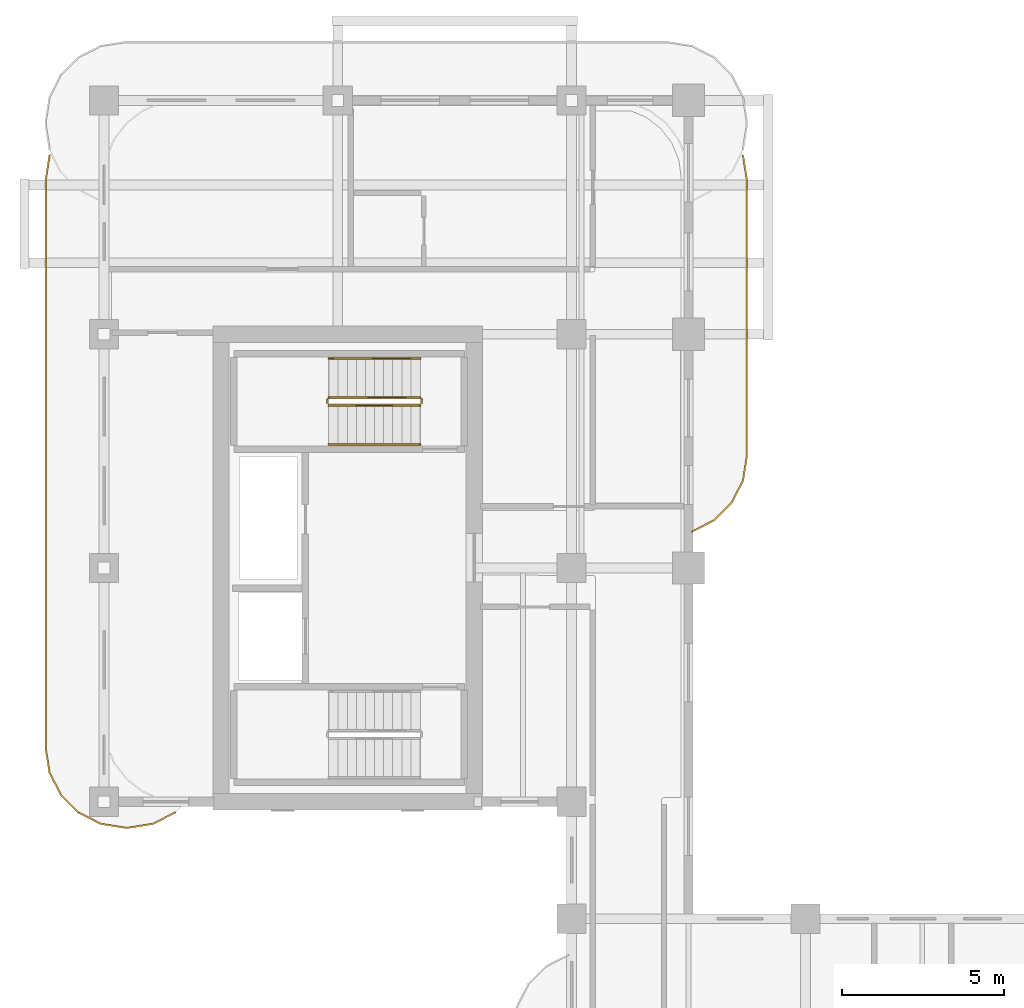
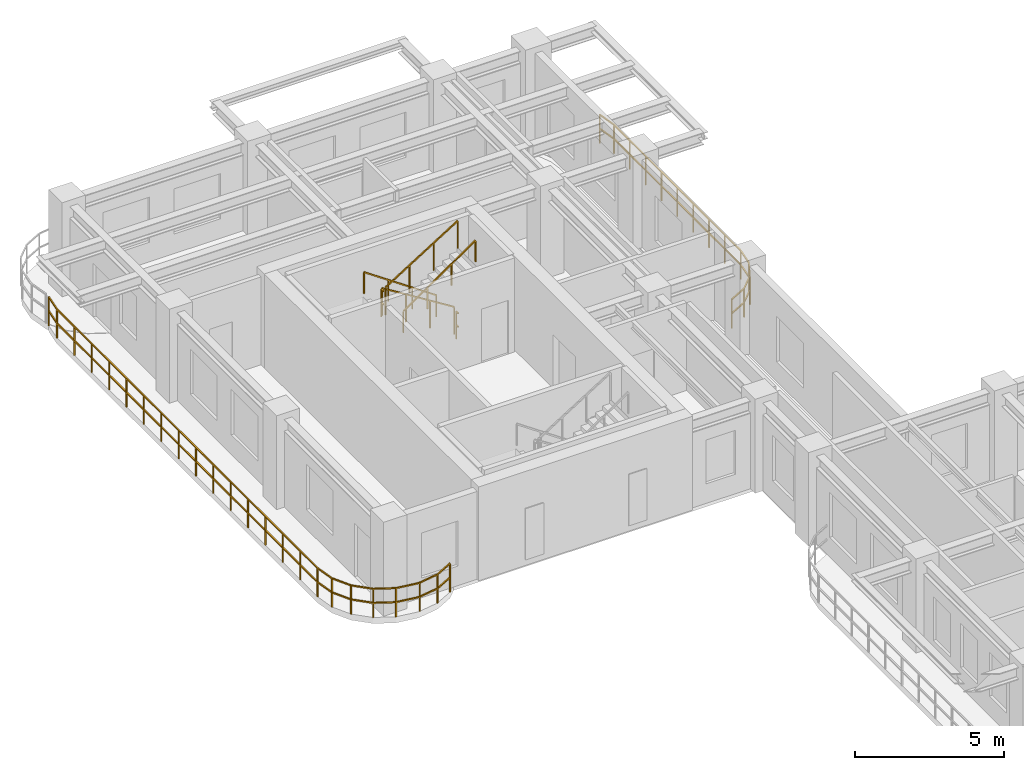
# One storey, part 13 of 14: 8 railings.
"""IFC4 building model written with IfcOpenShell, lengths in metres."""

from ifc_helpers import new_model, si_unit, derived_unit, direction, frame, origin, origin_2d, place, context, subcontext, project, spatial, rectangle, extrude, material, type_object, element, save


model = new_model("IFC4")

# Units and contexts
model_context = context("Model", 3, precision=1e-05, world=origin(), true_north=direction((0.0, 1.0)))
body_context = subcontext(model_context, "Body", "Model", "MODEL_VIEW")
ifc_project = project(units=[si_unit("LENGTHUNIT", "METRE"), si_unit("AREAUNIT", "SQUARE_METRE"), si_unit("VOLUMEUNIT", "CUBIC_METRE"), si_unit("PLANEANGLEUNIT", "RADIAN"), si_unit("MASSUNIT", "GRAM", prefix="KILO"), si_unit("THERMODYNAMICTEMPERATUREUNIT", "KELVIN"), si_unit("POWERUNIT", "WATT"), derived_unit("THERMALTRANSMITTANCEUNIT", [(si_unit("POWERUNIT", "WATT"), 1), (si_unit("AREAUNIT", "SQUARE_METRE"), -1), (si_unit("THERMODYNAMICTEMPERATUREUNIT", "KELVIN"), -1)])], contexts=[model_context])

# Site, building, storey
site_placement = place(None, origin())
site = spatial("IfcSite", under=ifc_project, at=site_placement, CompositionType="ELEMENT")
building_placement = place(site_placement, origin())
building = spatial("IfcBuilding", under=site, at=building_placement, Name="Zahravan Archway Hotel and Residences", CompositionType="ELEMENT")
storey_placement = place(building_placement, frame((0.0, 0.0, 205.75)))
storey = spatial("IfcBuildingStorey", under=building, at=storey_placement, Name="L51", CompositionType="ELEMENT", Elevation=205.75)

# Railings
ifc_material_1 = material(Name="Bronze & Laminated Glass Balustrade", Category="glass")
railing_type_1 = type_object("IfcRailingType", Name="RL-BAL-1200", PredefinedType="BALUSTRADE", material=ifc_material_1)
railing_1_placement = place(storey_placement, frame((2.190185546875, 24.867919921875, 0.0)))
element("IfcRailing", 1, at=railing_1_placement, inside=storey, type_object=railing_type_1, Name="L51 Balustrade RL-SLB-BAL-L51-WB-1", PredefinedType="BALUSTRADE", context=body_context, shape_type="SweptSolid", body=[
    extrude(rectangle(XDim=0.048095703125, YDim=0.048095703125, at=origin_2d()), frame((0.0, 0.0, 1.17578125), z_axis=(-0.891090529897, -0.453825591531, 0.0), x_axis=(0.453825591531, -0.891090529897, 0.0)), (0.0, 0.0, 1.0), 0.7666015625),
    extrude(rectangle(XDim=0.048095703125, YDim=0.048095703125, at=origin_2d()), frame((0.0, 0.0, 0.60009765625), z_axis=(-0.891090529897, -0.453825591531, 0.0), x_axis=(0.453825591531, -0.891090529897, 0.0)), (0.0, 0.0, 1.0), 0.7666015625),
    extrude(rectangle(XDim=0.048095703125, YDim=0.048095703125, at=origin_2d()), frame((-0.68310546875, -0.347900390625, 1.17578125), z_axis=(-0.987646484274, -0.156698507018, 0.0), x_axis=(0.156698507018, -0.987646484274, 0.0)), (0.0, 0.0, 1.0), 0.7666015625),
    extrude(rectangle(XDim=0.048095703125, YDim=0.048095703125, at=origin_2d()), frame((-0.68310546875, -0.347900390625, 0.60009765625), z_axis=(-0.987646484274, -0.156698507018, 0.0), x_axis=(0.156698507018, -0.987646484274, 0.0)), (0.0, 0.0, 1.0), 0.7666015625),
    extrude(rectangle(XDim=0.048095703125, YDim=0.048095703125, at=origin_2d()), frame((-1.440185546875, -0.468017578125, 1.17578125), z_axis=(-1.0, 0.0, 0.0), x_axis=(0.0, -1.0, 0.0)), (0.0, 0.0, 1.0), 0.10009765625),
    extrude(rectangle(XDim=0.048095703125, YDim=0.048095703125, at=origin_2d()), frame((-1.440185546875, -0.468017578125, 0.60009765625), z_axis=(-1.0, 0.0, 0.0), x_axis=(0.0, -1.0, 0.0)), (0.0, 0.0, 1.0), 0.10009765625),
    extrude(rectangle(XDim=0.048095703125, YDim=0.048095703125, at=origin_2d()), frame((-1.540283203125, -0.468017578125, 1.17578125), z_axis=(-0.987646484274, 0.156698507018, 0.0), x_axis=(-0.156698507018, -0.987646484274, 0.0)), (0.0, 0.0, 1.0), 0.7666015625),
    extrude(rectangle(XDim=0.048095703125, YDim=0.048095703125, at=origin_2d()), frame((-1.540283203125, -0.468017578125, 0.60009765625), z_axis=(-0.987646484274, 0.156698507018, 0.0), x_axis=(-0.156698507018, -0.987646484274, 0.0)), (0.0, 0.0, 1.0), 0.7666015625),
    extrude(rectangle(XDim=0.048095703125, YDim=0.048095703125, at=origin_2d()), frame((-2.29736328125, -0.347900390625, 1.17578125), z_axis=(-0.891024909783, 0.453954414172, 0.0), x_axis=(-0.453954414172, -0.891024909783, 0.0)), (0.0, 0.0, 1.0), 0.766357421875),
    extrude(rectangle(XDim=0.048095703125, YDim=0.048095703125, at=origin_2d()), frame((-2.29736328125, -0.347900390625, 0.60009765625), z_axis=(-0.891024909783, 0.453954414172, 0.0), x_axis=(-0.453954414172, -0.891024909783, 0.0)), (0.0, 0.0, 1.0), 0.766357421875),
    extrude(rectangle(XDim=0.048095703125, YDim=0.048095703125, at=origin_2d()), frame((-2.980224609375, 0.0, 1.17578125), z_axis=(-0.707106781187, 0.707106781187, 0.0), x_axis=(-0.707106781187, -0.707106781187, 0.0)), (0.0, 0.0, 1.0), 0.7666015625),
    extrude(rectangle(XDim=0.048095703125, YDim=0.048095703125, at=origin_2d()), frame((-2.980224609375, 0.0, 0.60009765625), z_axis=(-0.707106781187, 0.707106781187, 0.0), x_axis=(-0.707106781187, -0.707106781187, 0.0)), (0.0, 0.0, 1.0), 0.7666015625),
    extrude(rectangle(XDim=0.048095703125, YDim=0.048095703125, at=origin_2d()), frame((-3.522216796875, 0.5419921875, 1.17578125), z_axis=(-0.454078418624, 0.890961721815, 0.0), x_axis=(-0.890961721815, -0.454078418624, 0.0)), (0.0, 0.0, 1.0), 0.7666015625),
    extrude(rectangle(XDim=0.048095703125, YDim=0.048095703125, at=origin_2d()), frame((-3.522216796875, 0.5419921875, 0.60009765625), z_axis=(-0.454078418624, 0.890961721815, 0.0), x_axis=(-0.890961721815, -0.454078418624, 0.0)), (0.0, 0.0, 1.0), 0.7666015625),
    extrude(rectangle(XDim=0.048095703125, YDim=0.048095703125, at=origin_2d()), frame((-3.870361328125, 1.22509765625, 1.17578125), z_axis=(-0.156387811283, 0.987695728695, 0.0), x_axis=(-0.987695728695, -0.156387811283, 0.0)), (0.0, 0.0, 1.0), 0.7666015625),
    extrude(rectangle(XDim=0.048095703125, YDim=0.048095703125, at=origin_2d()), frame((-3.870361328125, 1.22509765625, 0.60009765625), z_axis=(-0.156387811283, 0.987695728695, 0.0), x_axis=(-0.987695728695, -0.156387811283, 0.0)), (0.0, 0.0, 1.0), 0.7666015625),
    extrude(rectangle(XDim=0.048095703125, YDim=0.048095703125, at=origin_2d()), frame((-3.990234375, 1.982177734375, 1.17578125), z_axis=(0.0, 1.0, 0.0), x_axis=(-1.0, 0.0, 0.0)), (0.0, 0.0, 1.0), 17.5),
    extrude(rectangle(XDim=0.048095703125, YDim=0.048095703125, at=origin_2d()), frame((-3.990234375, 1.982177734375, 0.60009765625), z_axis=(0.0, 1.0, 0.0), x_axis=(-1.0, 0.0, 0.0)), (0.0, 0.0, 1.0), 17.5),
    extrude(rectangle(XDim=0.048095703125, YDim=0.048095703125, at=origin_2d()), frame((-3.990234375, 19.482177734375, 1.17578125), z_axis=(0.156387811283, 0.987695728695, 0.0), x_axis=(-0.987695728695, 0.156387811283, 0.0)), (0.0, 0.0, 1.0), 0.7666015625),
    extrude(rectangle(XDim=0.048095703125, YDim=0.048095703125, at=origin_2d()), frame((-3.990234375, 19.482177734375, 0.60009765625), z_axis=(0.156387811283, 0.987695728695, 0.0), x_axis=(-0.987695728695, 0.156387811283, 0.0)), (0.0, 0.0, 1.0), 0.7666015625),
    extrude(rectangle(XDim=0.0419921875, YDim=0.0419921875, at=origin_2d()), origin(), (0.0, 0.0, 1.0), 1.15185546875),
    extrude(rectangle(XDim=0.0419921875, YDim=0.0419921875, at=origin_2d()), frame((-0.68310546875, -0.347900390625, 0.0)), (0.0, 0.0, 1.0), 1.15185546875),
    extrude(rectangle(XDim=0.0419921875, YDim=0.0419921875, at=origin_2d()), frame((-1.440185546875, -0.468017578125, 0.0)), (0.0, 0.0, 1.0), 1.15185546875),
    extrude(rectangle(XDim=0.0419921875, YDim=0.0419921875, at=origin_2d()), frame((-2.29736328125, -0.347900390625, 0.0)), (0.0, 0.0, 1.0), 1.15185546875),
    extrude(rectangle(XDim=0.0419921875, YDim=0.0419921875, at=origin_2d()), frame((-2.980224609375, 0.0, 0.0)), (0.0, 0.0, 1.0), 1.15185546875),
    extrude(rectangle(XDim=0.0419921875, YDim=0.0419921875, at=origin_2d()), frame((-3.522216796875, 0.5419921875, 0.0)), (0.0, 0.0, 1.0), 1.15185546875),
    extrude(rectangle(XDim=0.0419921875, YDim=0.0419921875, at=origin_2d()), frame((-3.870361328125, 1.22509765625, 0.0)), (0.0, 0.0, 1.0), 1.15185546875),
    extrude(rectangle(XDim=0.0419921875, YDim=0.0419921875, at=origin_2d()), frame((-3.990234375, 1.982177734375, 0.0)), (0.0, 0.0, 1.0), 1.15185546875),
    extrude(rectangle(XDim=0.0419921875, YDim=0.0419921875, at=origin_2d()), frame((-3.990234375, 3.14892578125, 0.0)), (0.0, 0.0, 1.0), 1.15185546875),
    extrude(rectangle(XDim=0.0419921875, YDim=0.0419921875, at=origin_2d()), frame((-3.990234375, 4.3154296875, 0.0)), (0.0, 0.0, 1.0), 1.15185546875),
    extrude(rectangle(XDim=0.0419921875, YDim=0.0419921875, at=origin_2d()), frame((-3.990234375, 5.482177734375, 0.0)), (0.0, 0.0, 1.0), 1.15185546875),
    extrude(rectangle(XDim=0.0419921875, YDim=0.0419921875, at=origin_2d()), frame((-3.990234375, 6.64892578125, 0.0)), (0.0, 0.0, 1.0), 1.15185546875),
    extrude(rectangle(XDim=0.0419921875, YDim=0.0419921875, at=origin_2d()), frame((-3.990234375, 7.8154296875, 0.0)), (0.0, 0.0, 1.0), 1.15185546875),
    extrude(rectangle(XDim=0.0419921875, YDim=0.0419921875, at=origin_2d()), frame((-3.990234375, 8.982177734375, 0.0)), (0.0, 0.0, 1.0), 1.15185546875),
    extrude(rectangle(XDim=0.0419921875, YDim=0.0419921875, at=origin_2d()), frame((-3.990234375, 10.14892578125, 0.0)), (0.0, 0.0, 1.0), 1.15185546875),
    extrude(rectangle(XDim=0.0419921875, YDim=0.0419921875, at=origin_2d()), frame((-3.990234375, 11.3154296875, 0.0)), (0.0, 0.0, 1.0), 1.15185546875),
    extrude(rectangle(XDim=0.0419921875, YDim=0.0419921875, at=origin_2d()), frame((-3.990234375, 12.482177734375, 0.0)), (0.0, 0.0, 1.0), 1.15185546875),
    extrude(rectangle(XDim=0.0419921875, YDim=0.0419921875, at=origin_2d()), frame((-3.990234375, 13.64892578125, 0.0)), (0.0, 0.0, 1.0), 1.15185546875),
    extrude(rectangle(XDim=0.0419921875, YDim=0.0419921875, at=origin_2d()), frame((-3.990234375, 14.8154296875, 0.0)), (0.0, 0.0, 1.0), 1.15185546875),
    extrude(rectangle(XDim=0.0419921875, YDim=0.0419921875, at=origin_2d()), frame((-3.990234375, 15.982177734375, 0.0)), (0.0, 0.0, 1.0), 1.15185546875),
    extrude(rectangle(XDim=0.0419921875, YDim=0.0419921875, at=origin_2d()), frame((-3.990234375, 17.14892578125, 0.0)), (0.0, 0.0, 1.0), 1.15185546875),
    extrude(rectangle(XDim=0.0419921875, YDim=0.0419921875, at=origin_2d()), frame((-3.990234375, 18.3154296875, 0.0)), (0.0, 0.0, 1.0), 1.15185546875),
    extrude(rectangle(XDim=0.0419921875, YDim=0.0419921875, at=origin_2d()), frame((-3.990234375, 19.482177734375, 0.0)), (0.0, 0.0, 1.0), 1.15185546875),
    extrude(rectangle(XDim=0.0419921875, YDim=0.0419921875, at=origin_2d()), frame((-3.870361328125, 20.2392578125, 0.0)), (0.0, 0.0, 1.0), 1.15185546875),
])
railing_2_placement = place(storey_placement, frame((19.68017578125, 45.107177734375, 0.0)))
element("IfcRailing", 2, at=railing_2_placement, inside=storey, type_object=railing_type_1, Name="L51 Balustrade RL-SLB-BAL-L51-EB-1", PredefinedType="BALUSTRADE", context=body_context, shape_type="SweptSolid", body=[
    extrude(rectangle(XDim=0.048095703125, YDim=0.048095703125, at=origin_2d()), frame((0.0, 0.0, 1.17578125), z_axis=(0.156387811283, -0.987695728695, 0.0), x_axis=(0.987695728695, 0.156387811283, 0.0)), (0.0, 0.0, 1.0), 0.7666015625),
    extrude(rectangle(XDim=0.048095703125, YDim=0.048095703125, at=origin_2d()), frame((0.0, 0.0, 0.60009765625), z_axis=(0.156387811283, -0.987695728695, 0.0), x_axis=(0.987695728695, 0.156387811283, 0.0)), (0.0, 0.0, 1.0), 0.7666015625),
    extrude(rectangle(XDim=0.048095703125, YDim=0.048095703125, at=origin_2d()), frame((0.119873046875, -0.757080078125, 1.17578125), z_axis=(0.0, -1.0, 0.0), x_axis=(1.0, 0.0, 0.0)), (0.0, 0.0, 1.0), 8.5),
    extrude(rectangle(XDim=0.048095703125, YDim=0.048095703125, at=origin_2d()), frame((0.119873046875, -0.757080078125, 0.60009765625), z_axis=(0.0, -1.0, 0.0), x_axis=(1.0, 0.0, 0.0)), (0.0, 0.0, 1.0), 8.5),
    extrude(rectangle(XDim=0.048095703125, YDim=0.048095703125, at=origin_2d()), frame((0.119873046875, -9.257080078125, 1.17578125), z_axis=(-0.156387811283, -0.987695728695, 0.0), x_axis=(0.987695728695, -0.156387811283, 0.0)), (0.0, 0.0, 1.0), 0.7666015625),
    extrude(rectangle(XDim=0.048095703125, YDim=0.048095703125, at=origin_2d()), frame((0.119873046875, -9.257080078125, 0.60009765625), z_axis=(-0.156387811283, -0.987695728695, 0.0), x_axis=(0.987695728695, -0.156387811283, 0.0)), (0.0, 0.0, 1.0), 0.7666015625),
    extrude(rectangle(XDim=0.048095703125, YDim=0.048095703125, at=origin_2d()), frame((0.0, -10.01416015625, 1.17578125), z_axis=(-0.454078418624, -0.890961721815, 0.0), x_axis=(0.890961721815, -0.454078418624, 0.0)), (0.0, 0.0, 1.0), 0.7666015625),
    extrude(rectangle(XDim=0.048095703125, YDim=0.048095703125, at=origin_2d()), frame((0.0, -10.01416015625, 0.60009765625), z_axis=(-0.454078418624, -0.890961721815, 0.0), x_axis=(0.890961721815, -0.454078418624, 0.0)), (0.0, 0.0, 1.0), 0.7666015625),
    extrude(rectangle(XDim=0.048095703125, YDim=0.048095703125, at=origin_2d()), frame((-0.34814453125, -10.697265625, 1.17578125), z_axis=(-0.707106781187, -0.707106781187, 0.0), x_axis=(0.707106781187, -0.707106781187, 0.0)), (0.0, 0.0, 1.0), 0.7666015625),
    extrude(rectangle(XDim=0.048095703125, YDim=0.048095703125, at=origin_2d()), frame((-0.34814453125, -10.697265625, 0.60009765625), z_axis=(-0.707106781187, -0.707106781187, 0.0), x_axis=(0.707106781187, -0.707106781187, 0.0)), (0.0, 0.0, 1.0), 0.7666015625),
    extrude(rectangle(XDim=0.048095703125, YDim=0.048095703125, at=origin_2d()), frame((-0.89013671875, -11.2392578125, 1.17578125), z_axis=(-0.891024909783, -0.453954414172, 0.0), x_axis=(0.453954414172, -0.891024909783, 0.0)), (0.0, 0.0, 1.0), 0.766357421875),
    extrude(rectangle(XDim=0.048095703125, YDim=0.048095703125, at=origin_2d()), frame((-0.89013671875, -11.2392578125, 0.60009765625), z_axis=(-0.891024909783, -0.453954414172, 0.0), x_axis=(0.453954414172, -0.891024909783, 0.0)), (0.0, 0.0, 1.0), 0.766357421875),
    extrude(rectangle(XDim=0.0419921875, YDim=0.0419921875, at=origin_2d()), origin(), (0.0, 0.0, 1.0), 1.15185546875),
    extrude(rectangle(XDim=0.0419921875, YDim=0.0419921875, at=origin_2d()), frame((0.119873046875, -0.757080078125, 0.0)), (0.0, 0.0, 1.0), 1.15185546875),
    extrude(rectangle(XDim=0.0419921875, YDim=0.0419921875, at=origin_2d()), frame((0.119873046875, -1.819580078125, 0.0)), (0.0, 0.0, 1.0), 1.15185546875),
    extrude(rectangle(XDim=0.0419921875, YDim=0.0419921875, at=origin_2d()), frame((0.119873046875, -2.882080078125, 0.0)), (0.0, 0.0, 1.0), 1.15185546875),
    extrude(rectangle(XDim=0.0419921875, YDim=0.0419921875, at=origin_2d()), frame((0.119873046875, -3.944580078125, 0.0)), (0.0, 0.0, 1.0), 1.15185546875),
    extrude(rectangle(XDim=0.0419921875, YDim=0.0419921875, at=origin_2d()), frame((0.119873046875, -5.007080078125, 0.0)), (0.0, 0.0, 1.0), 1.15185546875),
    extrude(rectangle(XDim=0.0419921875, YDim=0.0419921875, at=origin_2d()), frame((0.119873046875, -6.069580078125, 0.0)), (0.0, 0.0, 1.0), 1.15185546875),
    extrude(rectangle(XDim=0.0419921875, YDim=0.0419921875, at=origin_2d()), frame((0.119873046875, -7.132080078125, 0.0)), (0.0, 0.0, 1.0), 1.15185546875),
    extrude(rectangle(XDim=0.0419921875, YDim=0.0419921875, at=origin_2d()), frame((0.119873046875, -8.194580078125, 0.0)), (0.0, 0.0, 1.0), 1.15185546875),
    extrude(rectangle(XDim=0.0419921875, YDim=0.0419921875, at=origin_2d()), frame((0.119873046875, -9.257080078125, 0.0)), (0.0, 0.0, 1.0), 1.15185546875),
    extrude(rectangle(XDim=0.0419921875, YDim=0.0419921875, at=origin_2d()), frame((0.0, -10.01416015625, 0.0)), (0.0, 0.0, 1.0), 1.15185546875),
    extrude(rectangle(XDim=0.0419921875, YDim=0.0419921875, at=origin_2d()), frame((-0.34814453125, -10.697265625, 0.0)), (0.0, 0.0, 1.0), 1.15185546875),
    extrude(rectangle(XDim=0.0419921875, YDim=0.0419921875, at=origin_2d()), frame((-0.89013671875, -11.2392578125, 0.0)), (0.0, 0.0, 1.0), 1.15185546875),
    extrude(rectangle(XDim=0.0419921875, YDim=0.0419921875, at=origin_2d()), frame((-1.572998046875, -11.587158203125, 0.0)), (0.0, 0.0, 1.0), 1.15185546875),
])
ifc_material_2 = material(Name="Painted Tubular Steel", Category="steel")
railing_type_2 = type_object("IfcRailingType", Name="RL-STG-1150", PredefinedType="GUARDRAIL", material=ifc_material_2)
railing_3_placement = place(storey_placement, frame((9.72998046875, 37.64990234375, 0.175048828125)))
element("IfcRailing", 3, at=railing_3_placement, inside=storey, type_object=railing_type_2, Name="L51 ST-B2 stair guard 1", PredefinedType="GUARDRAIL", context=body_context, shape_type="SweptSolid", body=[
    extrude(rectangle(XDim=0.048095703125, YDim=0.048095703125, at=origin_2d()), frame((0.0, 0.0, 1.1259765625), z_axis=(-0.848002457836, 0.0, 0.529992293815), x_axis=(0.0, -1.0, 0.0)), (0.0, 0.0, 1.0), 3.302001953125),
    extrude(rectangle(XDim=0.0419921875, YDim=0.0419921875, at=origin_2d()), origin(), (0.0, 0.0, 1.0), 1.101806640625),
    extrude(rectangle(XDim=0.0419921875, YDim=0.0419921875, at=origin_2d()), frame((-0.933349609375, 0.0, 0.583251953125)), (0.0, 0.0, 1.0), 1.101806640625),
    extrude(rectangle(XDim=0.0419921875, YDim=0.0419921875, at=origin_2d()), frame((-1.86669921875, 0.0, 1.166748046875)), (0.0, 0.0, 1.0), 1.101806640625),
    extrude(rectangle(XDim=0.0419921875, YDim=0.0419921875, at=origin_2d()), frame((-2.800048828125, 0.0, 1.75)), (0.0, 0.0, 1.0), 1.101806640625),
])
railing_4_placement = place(storey_placement, frame((6.8798828125, 37.60009765625, 1.925048828125)))
element("IfcRailing", 4, at=railing_4_placement, inside=storey, type_object=railing_type_2, Name="L51 ST-B2 stair guard 2", PredefinedType="GUARDRAIL", context=body_context, shape_type="SweptSolid", body=[
    extrude(rectangle(XDim=0.048095703125, YDim=0.048095703125, at=origin_2d()), frame((0.0, 0.0, 1.1259765625), z_axis=(0.0, -1.0, 0.0), x_axis=(1.0, 0.0, 0.0)), (0.0, 0.0, 1.0), 0.14013671875),
    extrude(rectangle(XDim=0.048095703125, YDim=0.048095703125, at=origin_2d()), frame((0.0, 0.0, 0.574951171875), z_axis=(0.0, -1.0, 0.0), x_axis=(1.0, 0.0, 0.0)), (0.0, 0.0, 1.0), 0.14013671875),
    extrude(rectangle(XDim=0.0419921875, YDim=0.0419921875, at=origin_2d()), origin(), (0.0, 0.0, 1.0), 1.101806640625),
])
railing_5_placement = place(storey_placement, frame((6.929931640625, 37.409912109375, 2.10009765625)))
element("IfcRailing", 5, at=railing_5_placement, inside=storey, type_object=railing_type_2, Name="L51 ST-B2 stair guard 3", PredefinedType="GUARDRAIL", context=body_context, shape_type="SweptSolid", body=[
    extrude(rectangle(XDim=0.048095703125, YDim=0.048095703125, at=origin_2d()), frame((0.0, 0.0, 1.1259765625), z_axis=(0.848002457836, 0.0, 0.529992293815), x_axis=(0.0, 1.0, 0.0)), (0.0, 0.0, 1.0), 3.302001953125),
    extrude(rectangle(XDim=0.0419921875, YDim=0.0419921875, at=origin_2d()), origin(), (0.0, 0.0, 1.0), 1.101806640625),
    extrude(rectangle(XDim=0.0419921875, YDim=0.0419921875, at=origin_2d()), frame((0.933349609375, 0.0, 0.583251953125)), (0.0, 0.0, 1.0), 1.101806640625),
    extrude(rectangle(XDim=0.0419921875, YDim=0.0419921875, at=origin_2d()), frame((1.86669921875, 0.0, 1.166748046875)), (0.0, 0.0, 1.0), 1.101806640625),
    extrude(rectangle(XDim=0.0419921875, YDim=0.0419921875, at=origin_2d()), frame((2.800048828125, 0.0, 1.75)), (0.0, 0.0, 1.0), 1.101806640625),
])
railing_6_placement = place(storey_placement, frame((9.780029296875, 37.60009765625, 0.0)))
element("IfcRailing", 6, at=railing_6_placement, inside=storey, type_object=railing_type_2, Name="L51 ST-B2 stair guard 4", PredefinedType="GUARDRAIL", context=body_context, shape_type="SweptSolid", body=[
    extrude(rectangle(XDim=0.048095703125, YDim=0.048095703125, at=origin_2d()), frame((0.0, 0.0, 1.1259765625), z_axis=(0.0, -1.0, 0.0), x_axis=(1.0, 0.0, 0.0)), (0.0, 0.0, 1.0), 0.14013671875),
    extrude(rectangle(XDim=0.048095703125, YDim=0.048095703125, at=origin_2d()), frame((0.0, 0.0, 0.574951171875), z_axis=(0.0, -1.0, 0.0), x_axis=(1.0, 0.0, 0.0)), (0.0, 0.0, 1.0), 0.14013671875),
    extrude(rectangle(XDim=0.0419921875, YDim=0.0419921875, at=origin_2d()), origin(), (0.0, 0.0, 1.0), 1.101806640625),
])
ifc_material_3 = material(Name="Brushed Stainless Steel", Category="steel")
railing_type_3 = type_object("IfcRailingType", Name="RL-STH-900", PredefinedType="HANDRAIL", material=ifc_material_3)
railing_7_placement = place(storey_placement, frame((9.72998046875, 38.85009765625, 0.175048828125)))
element("IfcRailing", 7, at=railing_7_placement, inside=storey, type_object=railing_type_3, Name="L51 ST-B2 stair handrail 1", PredefinedType="HANDRAIL", context=body_context, shape_type="SweptSolid", body=[
    extrude(rectangle(XDim=0.048095703125, YDim=0.048095703125, at=origin_2d()), frame((0.0, 0.0, 0.8759765625), z_axis=(-0.824039827795, 0.0, 0.566531872191), x_axis=(0.0, -1.0, 0.0)), (0.0, 0.0, 1.0), 3.39794921875),
    extrude(rectangle(XDim=0.0419921875, YDim=0.0419921875, at=origin_2d()), origin(), (0.0, 0.0, 1.0), 0.851806640625),
    extrude(rectangle(XDim=0.0419921875, YDim=0.0419921875, at=origin_2d()), frame((-0.933349609375, 0.0, 0.6416015625)), (0.0, 0.0, 1.0), 0.851806640625),
    extrude(rectangle(XDim=0.0419921875, YDim=0.0419921875, at=origin_2d()), frame((-1.86669921875, 0.0, 1.283447265625)), (0.0, 0.0, 1.0), 0.851806640625),
    extrude(rectangle(XDim=0.0419921875, YDim=0.0419921875, at=origin_2d()), frame((-2.800048828125, 0.0, 1.925048828125)), (0.0, 0.0, 1.0), 0.851806640625),
])
railing_8_placement = place(storey_placement, frame((6.929931640625, 36.2099609375, 2.10009765625)))
element("IfcRailing", 8, at=railing_8_placement, inside=storey, type_object=railing_type_3, Name="L51 ST-B2 stair handrail 2", PredefinedType="HANDRAIL", context=body_context, shape_type="SweptSolid", body=[
    extrude(rectangle(XDim=0.048095703125, YDim=0.048095703125, at=origin_2d()), frame((0.0, 0.0, 0.8759765625), z_axis=(0.824073370198, 0.0, 0.566483080534), x_axis=(0.0, 1.0, 0.0)), (0.0, 0.0, 1.0), 3.397705078125),
    extrude(rectangle(XDim=0.0419921875, YDim=0.0419921875, at=origin_2d()), origin(), (0.0, 0.0, 1.0), 0.851806640625),
    extrude(rectangle(XDim=0.0419921875, YDim=0.0419921875, at=origin_2d()), frame((0.933349609375, 0.0, 0.6416015625)), (0.0, 0.0, 1.0), 0.851806640625),
    extrude(rectangle(XDim=0.0419921875, YDim=0.0419921875, at=origin_2d()), frame((1.86669921875, 0.0, 1.283203125)), (0.0, 0.0, 1.0), 0.851806640625),
    extrude(rectangle(XDim=0.0419921875, YDim=0.0419921875, at=origin_2d()), frame((2.800048828125, 0.0, 1.9248046875)), (0.0, 0.0, 1.0), 0.851806640625),
])

save(model, "model.ifc")
